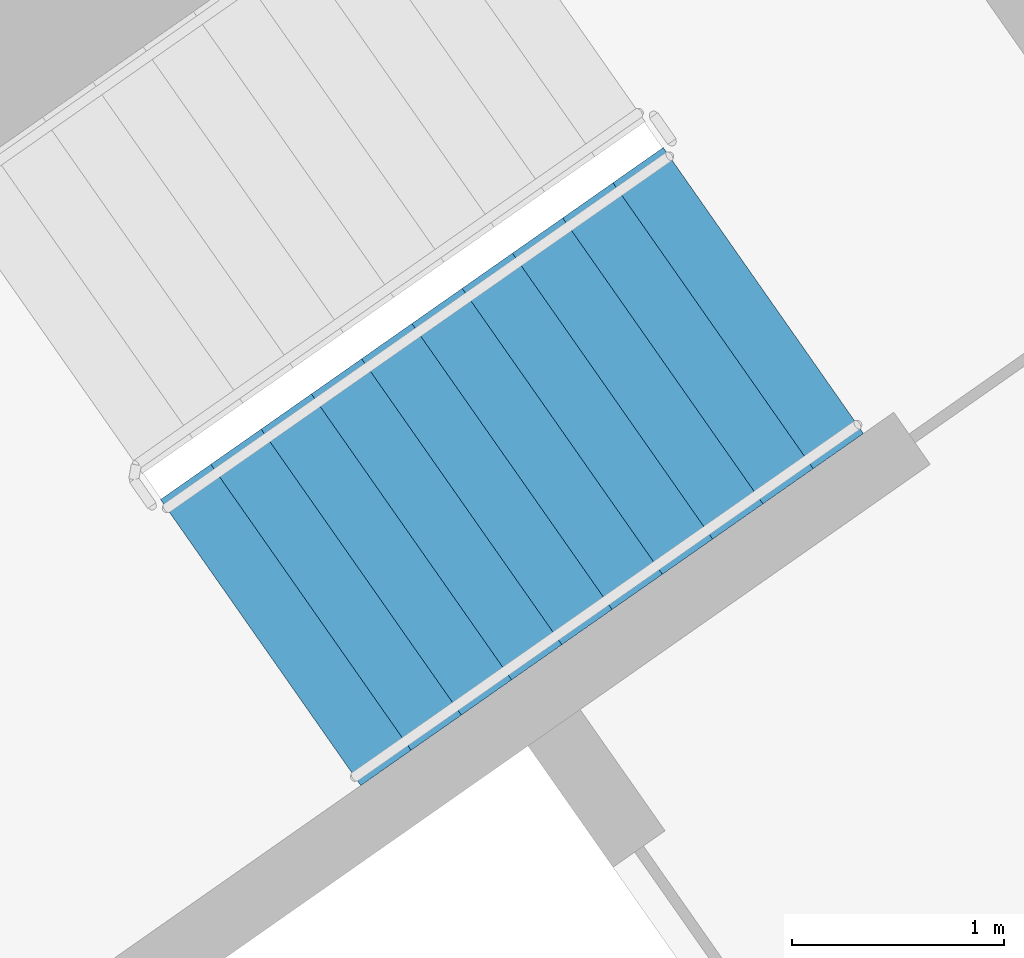
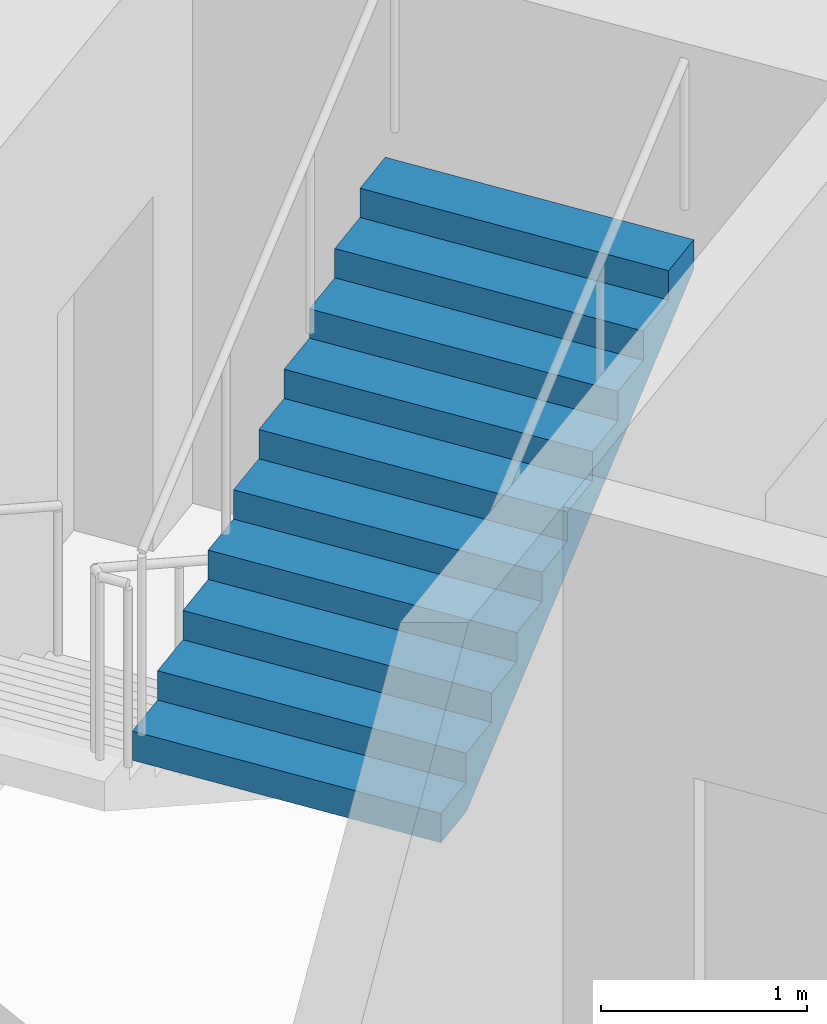
# One storey, part 13 of 29: 1 stair flight, 1 element without a shape of its own.
"""IFC4 building model written with IfcOpenShell, lengths in metres."""

from ifc_helpers import new_model, si_unit, direction, frame, origin, place, context, subcontext, project, spatial, faceted_brep, material, type_object, element, aggregate, save


model = new_model("IFC4")

# Units and contexts
model_context = context("Model", 3, precision=1e-05, world=origin(), true_north=direction((0.0, 1.0)))
body_context = subcontext(model_context, "Body", "Model", "MODEL_VIEW")
ifc_project = project(units=[si_unit("LENGTHUNIT", "METRE"), si_unit("AREAUNIT", "SQUARE_METRE"), si_unit("VOLUMEUNIT", "CUBIC_METRE"), si_unit("PLANEANGLEUNIT", "RADIAN"), si_unit("MASSUNIT", "GRAM", prefix="KILO")], contexts=[model_context])

# Site, building, storey
site_placement = place(None, origin())
site = spatial("IfcSite", under=ifc_project, at=site_placement, CompositionType="ELEMENT")
building_placement = place(site_placement, origin())
building = spatial("IfcBuilding", under=site, at=building_placement, Name="Qamariyya Broadcast Tower", CompositionType="ELEMENT")
storey_placement = place(building_placement, frame((0.0, 0.0, 121.5)))
storey = spatial("IfcBuildingStorey", under=building, at=storey_placement, Name="L27", CompositionType="ELEMENT", Elevation=121.5)

# Stair, stair flight
ifc_material = material(Name="Concrete C50/60", Category="concrete")
stair_type = type_object("IfcStairType", Name="Exit stair 22 risers of 173 mm", PredefinedType="HALF_TURN_STAIR", material=ifc_material)
stair_placement = place(storey_placement, origin())
stair = element("IfcStair", 1, at=stair_placement, inside=storey, type_object=stair_type, Name="L27 Stair E2", PredefinedType="HALF_TURN_STAIR")
stair_flight_type = type_object("IfcStairFlightType", Name="Exit stair flight 11 risers of 173 mm", PredefinedType="STRAIGHT", material=ifc_material)
stair_flight_placement = place(storey_placement, frame((39.215576171875, -50.822998046875, 1.89990234375), z_axis=(0.0, 0.0, 1.0), x_axis=(0.819152044289, 0.573576436351, 0.0)))
stair_flight = element("IfcStairFlight", 2, at=stair_flight_placement, type_object=stair_flight_type, Name="ST-E2 flight 2", NumberOfRisers=11, NumberOfTreads=10, PredefinedType="STRAIGHT", RiserHeight=0.172727273, TreadLength=0.29, context=body_context, shape_type="Brep", body=[
    faceted_brep([(0.0, 0.824951171875, 0.0), (0.0, 0.824951171875, 0.172607421875), (0.2900390625, 0.824951171875, 0.172607421875), (0.2900390625, 0.824951171875, 0.345458984375), (0.580078125, 0.824951171875, 0.345458984375), (0.580078125, 0.824951171875, 0.51806640625), (0.8701171875, 0.824951171875, 0.51806640625), (0.8701171875, 0.824951171875, 0.69091796875), (1.159912109375, 0.824951171875, 0.69091796875), (1.159912109375, 0.824951171875, 0.863525390625), (1.449951171875, 0.824951171875, 0.863525390625), (1.449951171875, 0.824951171875, 1.036376953125), (1.739990234375, 0.824951171875, 1.036376953125), (1.739990234375, 0.824951171875, 1.208984375), (2.030029296875, 0.824951171875, 1.208984375), (2.030029296875, 0.824951171875, 1.3818359375), (2.320068359375, 0.824951171875, 1.3818359375), (2.320068359375, 0.824951171875, 1.554443359375), (2.610107421875, 0.824951171875, 1.554443359375), (2.610107421875, 0.824951171875, 1.727294921875), (2.89990234375, 0.824951171875, 1.727294921875), (2.89990234375, 0.824951171875, 1.552734375), (0.29296875, 0.824951171875, 0.0), (0.29296875, -0.824951171875, 0.0), (2.89990234375, -0.824951171875, 1.552734375), (2.89990234375, -0.824951171875, 1.727294921875), (2.610107421875, -0.824951171875, 1.727294921875), (2.610107421875, -0.824951171875, 1.554443359375), (2.320068359375, -0.824951171875, 1.554443359375), (2.320068359375, -0.824951171875, 1.3818359375), (2.030029296875, -0.824951171875, 1.3818359375), (2.030029296875, -0.824951171875, 1.208984375), (1.739990234375, -0.824951171875, 1.208984375), (1.739990234375, -0.824951171875, 1.036376953125), (1.449951171875, -0.824951171875, 1.036376953125), (1.449951171875, -0.824951171875, 0.863525390625), (1.159912109375, -0.824951171875, 0.863525390625), (1.159912109375, -0.824951171875, 0.69091796875), (0.8701171875, -0.824951171875, 0.69091796875), (0.8701171875, -0.824951171875, 0.51806640625), (0.580078125, -0.824951171875, 0.51806640625), (0.580078125, -0.824951171875, 0.345458984375), (0.2900390625, -0.824951171875, 0.345458984375), (0.2900390625, -0.824951171875, 0.172607421875), (0.0, -0.824951171875, 0.172607421875), (0.0, -0.824951171875, 0.0), (0.0, 0.10009765625, 0.0), (0.0, 0.086669921875, 0.0), (0.0, 0.0732421875, 0.0), (0.0, 0.06005859375, 0.0), (0.0, 0.046630859375, 0.0), (0.0, 0.033447265625, 0.0), (0.0, 0.02001953125, 0.0), (0.0, 0.006591796875, 0.0), (0.0, -0.006591796875, 0.0), (0.0, -0.02001953125, 0.0), (0.0, -0.033447265625, 0.0), (0.0, -0.046630859375, 0.0), (0.0, -0.06005859375, 0.0), (0.0, -0.0732421875, 0.0), (0.0, -0.086669921875, 0.0), (0.0, -0.10009765625, 0.0), (0.0, -0.10009765625, 0.172607421875), (0.0, -0.086669921875, 0.172607421875), (0.0, -0.0732421875, 0.172607421875), (0.0, -0.06005859375, 0.172607421875), (0.0, -0.046630859375, 0.172607421875), (0.0, -0.033447265625, 0.172607421875), (0.0, -0.02001953125, 0.172607421875), (0.0, -0.006591796875, 0.172607421875), (0.0, 0.006591796875, 0.172607421875), (0.0, 0.02001953125, 0.172607421875), (0.0, 0.033447265625, 0.172607421875), (0.0, 0.046630859375, 0.172607421875), (0.0, 0.06005859375, 0.172607421875), (0.0, 0.0732421875, 0.172607421875), (0.0, 0.086669921875, 0.172607421875), (0.0, 0.10009765625, 0.172607421875), (0.2900390625, -0.10009765625, 0.172607421875), (0.2900390625, -0.086669921875, 0.172607421875), (0.2900390625, -0.0732421875, 0.172607421875), (0.2900390625, -0.06005859375, 0.172607421875), (0.2900390625, -0.046630859375, 0.172607421875), (0.2900390625, -0.033447265625, 0.172607421875), (0.2900390625, -0.02001953125, 0.172607421875), (0.2900390625, -0.006591796875, 0.172607421875), (0.2900390625, 0.006591796875, 0.172607421875), (0.2900390625, 0.02001953125, 0.172607421875), (0.2900390625, 0.033447265625, 0.172607421875), (0.2900390625, 0.046630859375, 0.172607421875), (0.2900390625, 0.06005859375, 0.172607421875), (0.2900390625, 0.0732421875, 0.172607421875), (0.2900390625, 0.086669921875, 0.172607421875), (0.2900390625, 0.10009765625, 0.172607421875), (0.2900390625, -0.10009765625, 0.345458984375), (0.2900390625, -0.086669921875, 0.345458984375), (0.2900390625, -0.0732421875, 0.345458984375), (0.2900390625, -0.06005859375, 0.345458984375), (0.2900390625, -0.046630859375, 0.345458984375), (0.2900390625, -0.033447265625, 0.345458984375), (0.2900390625, -0.02001953125, 0.345458984375), (0.2900390625, -0.006591796875, 0.345458984375), (0.2900390625, 0.006591796875, 0.345458984375), (0.2900390625, 0.02001953125, 0.345458984375), (0.2900390625, 0.033447265625, 0.345458984375), (0.2900390625, 0.046630859375, 0.345458984375), (0.2900390625, 0.06005859375, 0.345458984375), (0.2900390625, 0.0732421875, 0.345458984375), (0.2900390625, 0.086669921875, 0.345458984375), (0.2900390625, 0.10009765625, 0.345458984375), (0.580078125, -0.10009765625, 0.345458984375), (0.580078125, -0.086669921875, 0.345458984375), (0.580078125, -0.0732421875, 0.345458984375), (0.580078125, -0.06005859375, 0.345458984375), (0.580078125, -0.046630859375, 0.345458984375), (0.580078125, -0.033447265625, 0.345458984375), (0.580078125, -0.02001953125, 0.345458984375), (0.580078125, -0.006591796875, 0.345458984375), (0.580078125, 0.006591796875, 0.345458984375), (0.580078125, 0.02001953125, 0.345458984375), (0.580078125, 0.033447265625, 0.345458984375), (0.580078125, 0.046630859375, 0.345458984375), (0.580078125, 0.06005859375, 0.345458984375), (0.580078125, 0.0732421875, 0.345458984375), (0.580078125, 0.086669921875, 0.345458984375), (0.580078125, 0.10009765625, 0.345458984375), (0.580078125, -0.10009765625, 0.51806640625), (0.580078125, -0.086669921875, 0.51806640625), (0.580078125, -0.0732421875, 0.51806640625), (0.580078125, -0.06005859375, 0.51806640625), (0.580078125, -0.046630859375, 0.51806640625), (0.580078125, -0.033447265625, 0.51806640625), (0.580078125, -0.02001953125, 0.51806640625), (0.580078125, -0.006591796875, 0.51806640625), (0.580078125, 0.006591796875, 0.51806640625), (0.580078125, 0.02001953125, 0.51806640625), (0.580078125, 0.033447265625, 0.51806640625), (0.580078125, 0.046630859375, 0.51806640625), (0.580078125, 0.06005859375, 0.51806640625), (0.580078125, 0.0732421875, 0.51806640625), (0.580078125, 0.086669921875, 0.51806640625), (0.580078125, 0.10009765625, 0.51806640625), (0.8701171875, -0.10009765625, 0.51806640625), (0.8701171875, -0.086669921875, 0.51806640625), (0.8701171875, -0.0732421875, 0.51806640625), (0.8701171875, -0.06005859375, 0.51806640625), (0.8701171875, -0.046630859375, 0.51806640625), (0.8701171875, -0.033447265625, 0.51806640625), (0.8701171875, -0.02001953125, 0.51806640625), (0.8701171875, -0.006591796875, 0.51806640625), (0.8701171875, 0.006591796875, 0.51806640625), (0.8701171875, 0.02001953125, 0.51806640625), (0.8701171875, 0.033447265625, 0.51806640625), (0.8701171875, 0.046630859375, 0.51806640625), (0.8701171875, 0.06005859375, 0.51806640625), (0.8701171875, 0.0732421875, 0.51806640625), (0.8701171875, 0.086669921875, 0.51806640625), (0.8701171875, 0.10009765625, 0.51806640625), (0.8701171875, -0.10009765625, 0.69091796875), (0.8701171875, -0.086669921875, 0.69091796875), (0.8701171875, -0.0732421875, 0.69091796875), (0.8701171875, -0.06005859375, 0.69091796875), (0.8701171875, -0.046630859375, 0.69091796875), (0.8701171875, -0.033447265625, 0.69091796875), (0.8701171875, -0.02001953125, 0.69091796875), (0.8701171875, -0.006591796875, 0.69091796875), (0.8701171875, 0.006591796875, 0.69091796875), (0.8701171875, 0.02001953125, 0.69091796875), (0.8701171875, 0.033447265625, 0.69091796875), (0.8701171875, 0.046630859375, 0.69091796875), (0.8701171875, 0.06005859375, 0.69091796875), (0.8701171875, 0.0732421875, 0.69091796875), (0.8701171875, 0.086669921875, 0.69091796875), (0.8701171875, 0.10009765625, 0.69091796875), (1.159912109375, -0.10009765625, 0.69091796875), (1.159912109375, -0.086669921875, 0.69091796875), (1.159912109375, -0.0732421875, 0.69091796875), (1.159912109375, -0.06005859375, 0.69091796875), (1.159912109375, -0.046630859375, 0.69091796875), (1.159912109375, -0.033447265625, 0.69091796875), (1.159912109375, -0.02001953125, 0.69091796875), (1.159912109375, -0.006591796875, 0.69091796875), (1.159912109375, 0.006591796875, 0.69091796875), (1.159912109375, 0.02001953125, 0.69091796875), (1.159912109375, 0.033447265625, 0.69091796875), (1.159912109375, 0.046630859375, 0.69091796875), (1.159912109375, 0.06005859375, 0.69091796875), (1.159912109375, 0.0732421875, 0.69091796875), (1.159912109375, 0.086669921875, 0.69091796875), (1.159912109375, 0.10009765625, 0.69091796875), (1.159912109375, -0.10009765625, 0.863525390625), (1.159912109375, -0.086669921875, 0.863525390625), (1.159912109375, -0.0732421875, 0.863525390625), (1.159912109375, -0.06005859375, 0.863525390625), (1.159912109375, -0.046630859375, 0.863525390625), (1.159912109375, -0.033447265625, 0.863525390625), (1.159912109375, -0.02001953125, 0.863525390625), (1.159912109375, -0.006591796875, 0.863525390625), (1.159912109375, 0.006591796875, 0.863525390625), (1.159912109375, 0.02001953125, 0.863525390625), (1.159912109375, 0.033447265625, 0.863525390625), (1.159912109375, 0.046630859375, 0.863525390625), (1.159912109375, 0.06005859375, 0.863525390625), (1.159912109375, 0.0732421875, 0.863525390625), (1.159912109375, 0.086669921875, 0.863525390625), (1.159912109375, 0.10009765625, 0.863525390625), (1.449951171875, -0.10009765625, 0.863525390625), (1.449951171875, -0.086669921875, 0.863525390625), (1.449951171875, -0.0732421875, 0.863525390625), (1.449951171875, -0.06005859375, 0.863525390625), (1.449951171875, -0.046630859375, 0.863525390625), (1.449951171875, -0.033447265625, 0.863525390625), (1.449951171875, -0.02001953125, 0.863525390625), (1.449951171875, -0.006591796875, 0.863525390625), (1.449951171875, 0.006591796875, 0.863525390625), (1.449951171875, 0.02001953125, 0.863525390625), (1.449951171875, 0.033447265625, 0.863525390625), (1.449951171875, 0.046630859375, 0.863525390625), (1.449951171875, 0.06005859375, 0.863525390625), (1.449951171875, 0.0732421875, 0.863525390625), (1.449951171875, 0.086669921875, 0.863525390625), (1.449951171875, 0.10009765625, 0.863525390625), (1.449951171875, -0.10009765625, 1.036376953125), (1.449951171875, -0.086669921875, 1.036376953125), (1.449951171875, -0.0732421875, 1.036376953125), (1.449951171875, -0.06005859375, 1.036376953125), (1.449951171875, -0.046630859375, 1.036376953125), (1.449951171875, -0.033447265625, 1.036376953125), (1.449951171875, -0.02001953125, 1.036376953125), (1.449951171875, -0.006591796875, 1.036376953125), (1.449951171875, 0.006591796875, 1.036376953125), (1.449951171875, 0.02001953125, 1.036376953125), (1.449951171875, 0.033447265625, 1.036376953125), (1.449951171875, 0.046630859375, 1.036376953125), (1.449951171875, 0.06005859375, 1.036376953125), (1.449951171875, 0.0732421875, 1.036376953125), (1.449951171875, 0.086669921875, 1.036376953125), (1.449951171875, 0.10009765625, 1.036376953125), (1.739990234375, -0.10009765625, 1.036376953125), (1.739990234375, -0.086669921875, 1.036376953125), (1.739990234375, -0.0732421875, 1.036376953125), (1.739990234375, -0.06005859375, 1.036376953125), (1.739990234375, -0.046630859375, 1.036376953125), (1.739990234375, -0.033447265625, 1.036376953125), (1.739990234375, -0.02001953125, 1.036376953125), (1.739990234375, -0.006591796875, 1.036376953125), (1.739990234375, 0.006591796875, 1.036376953125), (1.739990234375, 0.02001953125, 1.036376953125), (1.739990234375, 0.033447265625, 1.036376953125), (1.739990234375, 0.046630859375, 1.036376953125), (1.739990234375, 0.06005859375, 1.036376953125), (1.739990234375, 0.0732421875, 1.036376953125), (1.739990234375, 0.086669921875, 1.036376953125), (1.739990234375, 0.10009765625, 1.036376953125), (1.739990234375, -0.10009765625, 1.208984375), (1.739990234375, -0.086669921875, 1.208984375), (1.739990234375, -0.0732421875, 1.208984375), (1.739990234375, -0.06005859375, 1.208984375), (1.739990234375, -0.046630859375, 1.208984375), (1.739990234375, -0.033447265625, 1.208984375), (1.739990234375, -0.02001953125, 1.208984375), (1.739990234375, -0.006591796875, 1.208984375), (1.739990234375, 0.006591796875, 1.208984375), (1.739990234375, 0.02001953125, 1.208984375), (1.739990234375, 0.033447265625, 1.208984375), (1.739990234375, 0.046630859375, 1.208984375), (1.739990234375, 0.06005859375, 1.208984375), (1.739990234375, 0.0732421875, 1.208984375), (1.739990234375, 0.086669921875, 1.208984375), (1.739990234375, 0.10009765625, 1.208984375), (2.030029296875, -0.10009765625, 1.208984375), (2.030029296875, -0.086669921875, 1.208984375), (2.030029296875, -0.0732421875, 1.208984375), (2.030029296875, -0.06005859375, 1.208984375), (2.030029296875, -0.046630859375, 1.208984375), (2.030029296875, -0.033447265625, 1.208984375), (2.030029296875, -0.02001953125, 1.208984375), (2.030029296875, -0.006591796875, 1.208984375), (2.030029296875, 0.006591796875, 1.208984375), (2.030029296875, 0.02001953125, 1.208984375), (2.030029296875, 0.033447265625, 1.208984375), (2.030029296875, 0.046630859375, 1.208984375), (2.030029296875, 0.06005859375, 1.208984375), (2.030029296875, 0.0732421875, 1.208984375), (2.030029296875, 0.086669921875, 1.208984375), (2.030029296875, 0.10009765625, 1.208984375), (2.030029296875, -0.10009765625, 1.3818359375), (2.030029296875, -0.086669921875, 1.3818359375), (2.030029296875, -0.0732421875, 1.3818359375), (2.030029296875, -0.06005859375, 1.3818359375), (2.030029296875, -0.046630859375, 1.3818359375), (2.030029296875, -0.033447265625, 1.3818359375), (2.030029296875, -0.02001953125, 1.3818359375), (2.030029296875, -0.006591796875, 1.3818359375), (2.030029296875, 0.006591796875, 1.3818359375), (2.030029296875, 0.02001953125, 1.3818359375), (2.030029296875, 0.033447265625, 1.3818359375), (2.030029296875, 0.046630859375, 1.3818359375), (2.030029296875, 0.06005859375, 1.3818359375), (2.030029296875, 0.0732421875, 1.3818359375), (2.030029296875, 0.086669921875, 1.3818359375), (2.030029296875, 0.10009765625, 1.3818359375), (2.320068359375, -0.10009765625, 1.3818359375), (2.320068359375, -0.086669921875, 1.3818359375), (2.320068359375, -0.0732421875, 1.3818359375), (2.320068359375, -0.06005859375, 1.3818359375), (2.320068359375, -0.046630859375, 1.3818359375), (2.320068359375, -0.033447265625, 1.3818359375), (2.320068359375, -0.02001953125, 1.3818359375), (2.320068359375, -0.006591796875, 1.3818359375), (2.320068359375, 0.006591796875, 1.3818359375), (2.320068359375, 0.02001953125, 1.3818359375), (2.320068359375, 0.033447265625, 1.3818359375), (2.320068359375, 0.046630859375, 1.3818359375), (2.320068359375, 0.06005859375, 1.3818359375), (2.320068359375, 0.0732421875, 1.3818359375), (2.320068359375, 0.086669921875, 1.3818359375), (2.320068359375, 0.10009765625, 1.3818359375), (2.320068359375, -0.10009765625, 1.554443359375), (2.320068359375, -0.086669921875, 1.554443359375), (2.320068359375, -0.0732421875, 1.554443359375), (2.320068359375, -0.06005859375, 1.554443359375), (2.320068359375, -0.046630859375, 1.554443359375), (2.320068359375, -0.033447265625, 1.554443359375), (2.320068359375, -0.02001953125, 1.554443359375), (2.320068359375, -0.006591796875, 1.554443359375), (2.320068359375, 0.006591796875, 1.554443359375), (2.320068359375, 0.02001953125, 1.554443359375), (2.320068359375, 0.033447265625, 1.554443359375), (2.320068359375, 0.046630859375, 1.554443359375), (2.320068359375, 0.06005859375, 1.554443359375), (2.320068359375, 0.0732421875, 1.554443359375), (2.320068359375, 0.086669921875, 1.554443359375), (2.320068359375, 0.10009765625, 1.554443359375), (2.610107421875, -0.10009765625, 1.554443359375), (2.610107421875, -0.086669921875, 1.554443359375), (2.610107421875, -0.0732421875, 1.554443359375), (2.610107421875, -0.06005859375, 1.554443359375), (2.610107421875, -0.046630859375, 1.554443359375), (2.610107421875, -0.033447265625, 1.554443359375), (2.610107421875, -0.02001953125, 1.554443359375), (2.610107421875, -0.006591796875, 1.554443359375), (2.610107421875, 0.006591796875, 1.554443359375), (2.610107421875, 0.02001953125, 1.554443359375), (2.610107421875, 0.033447265625, 1.554443359375), (2.610107421875, 0.046630859375, 1.554443359375), (2.610107421875, 0.06005859375, 1.554443359375), (2.610107421875, 0.0732421875, 1.554443359375), (2.610107421875, 0.086669921875, 1.554443359375), (2.610107421875, 0.10009765625, 1.554443359375), (2.610107421875, -0.10009765625, 1.727294921875), (2.610107421875, -0.086669921875, 1.727294921875), (2.610107421875, -0.0732421875, 1.727294921875), (2.610107421875, -0.06005859375, 1.727294921875), (2.610107421875, -0.046630859375, 1.727294921875), (2.610107421875, -0.033447265625, 1.727294921875), (2.610107421875, -0.02001953125, 1.727294921875), (2.610107421875, -0.006591796875, 1.727294921875), (2.610107421875, 0.006591796875, 1.727294921875), (2.610107421875, 0.02001953125, 1.727294921875), (2.610107421875, 0.033447265625, 1.727294921875), (2.610107421875, 0.046630859375, 1.727294921875), (2.610107421875, 0.06005859375, 1.727294921875), (2.610107421875, 0.0732421875, 1.727294921875), (2.610107421875, 0.086669921875, 1.727294921875), (2.610107421875, 0.10009765625, 1.727294921875), (2.89990234375, -0.10009765625, 1.727294921875), (2.89990234375, -0.086669921875, 1.727294921875), (2.89990234375, -0.0732421875, 1.727294921875), (2.89990234375, -0.06005859375, 1.727294921875), (2.89990234375, -0.046630859375, 1.727294921875), (2.89990234375, -0.033447265625, 1.727294921875), (2.89990234375, -0.02001953125, 1.727294921875), (2.89990234375, -0.006591796875, 1.727294921875), (2.89990234375, 0.006591796875, 1.727294921875), (2.89990234375, 0.02001953125, 1.727294921875), (2.89990234375, 0.033447265625, 1.727294921875), (2.89990234375, 0.046630859375, 1.727294921875), (2.89990234375, 0.06005859375, 1.727294921875), (2.89990234375, 0.0732421875, 1.727294921875), (2.89990234375, 0.086669921875, 1.727294921875), (2.89990234375, 0.10009765625, 1.727294921875), (2.89990234375, -0.10009765625, 1.552734375), (2.89990234375, -0.086669921875, 1.552734375), (2.89990234375, -0.0732421875, 1.552734375), (2.89990234375, -0.06005859375, 1.552734375), (2.89990234375, -0.046630859375, 1.552734375), (2.89990234375, -0.033447265625, 1.552734375), (2.89990234375, -0.02001953125, 1.552734375), (2.89990234375, -0.006591796875, 1.552734375), (2.89990234375, 0.006591796875, 1.552734375), (2.89990234375, 0.02001953125, 1.552734375), (2.89990234375, 0.033447265625, 1.552734375), (2.89990234375, 0.046630859375, 1.552734375), (2.89990234375, 0.06005859375, 1.552734375), (2.89990234375, 0.0732421875, 1.552734375), (2.89990234375, 0.086669921875, 1.552734375), (2.89990234375, 0.10009765625, 1.552734375), (0.29296875, -0.10009765625, 0.0), (0.29296875, -0.086669921875, 0.0), (0.29296875, -0.0732421875, 0.0), (0.29296875, -0.06005859375, 0.0), (0.29296875, -0.046630859375, 0.0), (0.29296875, -0.033447265625, 0.0), (0.29296875, -0.02001953125, 0.0), (0.29296875, -0.006591796875, 0.0), (0.29296875, 0.006591796875, 0.0), (0.29296875, 0.02001953125, 0.0), (0.29296875, 0.033447265625, 0.0), (0.29296875, 0.046630859375, 0.0), (0.29296875, 0.06005859375, 0.0), (0.29296875, 0.0732421875, 0.0), (0.29296875, 0.086669921875, 0.0), (0.29296875, 0.10009765625, 0.0)], [[[0, 1, 2, 3, 4, 5, 6, 7, 8, 9, 10, 11, 12, 13, 14, 15, 16, 17, 18, 19, 20, 21, 22]], [[23, 24, 25, 26, 27, 28, 29, 30, 31, 32, 33, 34, 35, 36, 37, 38, 39, 40, 41, 42, 43, 44, 45]], [[0, 46, 47, 48, 49, 50, 51, 52, 53, 54, 55, 56, 57, 58, 59, 60, 61, 45, 44, 62, 63, 64, 65, 66, 67, 68, 69, 70, 71, 72, 73, 74, 75, 76, 77, 1]], [[1, 77, 76, 75, 74, 73, 72, 71, 70, 69, 68, 67, 66, 65, 64, 63, 62, 44, 43, 78, 79, 80, 81, 82, 83, 84, 85, 86, 87, 88, 89, 90, 91, 92, 93, 2]], [[2, 93, 92, 91, 90, 89, 88, 87, 86, 85, 84, 83, 82, 81, 80, 79, 78, 43, 42, 94, 95, 96, 97, 98, 99, 100, 101, 102, 103, 104, 105, 106, 107, 108, 109, 3]], [[3, 109, 108, 107, 106, 105, 104, 103, 102, 101, 100, 99, 98, 97, 96, 95, 94, 42, 41, 110, 111, 112, 113, 114, 115, 116, 117, 118, 119, 120, 121, 122, 123, 124, 125, 4]], [[4, 125, 124, 123, 122, 121, 120, 119, 118, 117, 116, 115, 114, 113, 112, 111, 110, 41, 40, 126, 127, 128, 129, 130, 131, 132, 133, 134, 135, 136, 137, 138, 139, 140, 141, 5]], [[5, 141, 140, 139, 138, 137, 136, 135, 134, 133, 132, 131, 130, 129, 128, 127, 126, 40, 39, 142, 143, 144, 145, 146, 147, 148, 149, 150, 151, 152, 153, 154, 155, 156, 157, 6]], [[6, 157, 156, 155, 154, 153, 152, 151, 150, 149, 148, 147, 146, 145, 144, 143, 142, 39, 38, 158, 159, 160, 161, 162, 163, 164, 165, 166, 167, 168, 169, 170, 171, 172, 173, 7]], [[7, 173, 172, 171, 170, 169, 168, 167, 166, 165, 164, 163, 162, 161, 160, 159, 158, 38, 37, 174, 175, 176, 177, 178, 179, 180, 181, 182, 183, 184, 185, 186, 187, 188, 189, 8]], [[8, 189, 188, 187, 186, 185, 184, 183, 182, 181, 180, 179, 178, 177, 176, 175, 174, 37, 36, 190, 191, 192, 193, 194, 195, 196, 197, 198, 199, 200, 201, 202, 203, 204, 205, 9]], [[9, 205, 204, 203, 202, 201, 200, 199, 198, 197, 196, 195, 194, 193, 192, 191, 190, 36, 35, 206, 207, 208, 209, 210, 211, 212, 213, 214, 215, 216, 217, 218, 219, 220, 221, 10]], [[10, 221, 220, 219, 218, 217, 216, 215, 214, 213, 212, 211, 210, 209, 208, 207, 206, 35, 34, 222, 223, 224, 225, 226, 227, 228, 229, 230, 231, 232, 233, 234, 235, 236, 237, 11]], [[11, 237, 236, 235, 234, 233, 232, 231, 230, 229, 228, 227, 226, 225, 224, 223, 222, 34, 33, 238, 239, 240, 241, 242, 243, 244, 245, 246, 247, 248, 249, 250, 251, 252, 253, 12]], [[12, 253, 252, 251, 250, 249, 248, 247, 246, 245, 244, 243, 242, 241, 240, 239, 238, 33, 32, 254, 255, 256, 257, 258, 259, 260, 261, 262, 263, 264, 265, 266, 267, 268, 269, 13]], [[13, 269, 268, 267, 266, 265, 264, 263, 262, 261, 260, 259, 258, 257, 256, 255, 254, 32, 31, 270, 271, 272, 273, 274, 275, 276, 277, 278, 279, 280, 281, 282, 283, 284, 285, 14]], [[14, 285, 284, 283, 282, 281, 280, 279, 278, 277, 276, 275, 274, 273, 272, 271, 270, 31, 30, 286, 287, 288, 289, 290, 291, 292, 293, 294, 295, 296, 297, 298, 299, 300, 301, 15]], [[15, 301, 300, 299, 298, 297, 296, 295, 294, 293, 292, 291, 290, 289, 288, 287, 286, 30, 29, 302, 303, 304, 305, 306, 307, 308, 309, 310, 311, 312, 313, 314, 315, 316, 317, 16]], [[16, 317, 316, 315, 314, 313, 312, 311, 310, 309, 308, 307, 306, 305, 304, 303, 302, 29, 28, 318, 319, 320, 321, 322, 323, 324, 325, 326, 327, 328, 329, 330, 331, 332, 333, 17]], [[17, 333, 332, 331, 330, 329, 328, 327, 326, 325, 324, 323, 322, 321, 320, 319, 318, 28, 27, 334, 335, 336, 337, 338, 339, 340, 341, 342, 343, 344, 345, 346, 347, 348, 349, 18]], [[18, 349, 348, 347, 346, 345, 344, 343, 342, 341, 340, 339, 338, 337, 336, 335, 334, 27, 26, 350, 351, 352, 353, 354, 355, 356, 357, 358, 359, 360, 361, 362, 363, 364, 365, 19]], [[19, 365, 364, 363, 362, 361, 360, 359, 358, 357, 356, 355, 354, 353, 352, 351, 350, 26, 25, 366, 367, 368, 369, 370, 371, 372, 373, 374, 375, 376, 377, 378, 379, 380, 381, 20]], [[20, 381, 380, 379, 378, 377, 376, 375, 374, 373, 372, 371, 370, 369, 368, 367, 366, 25, 24, 382, 383, 384, 385, 386, 387, 388, 389, 390, 391, 392, 393, 394, 395, 396, 397, 21]], [[21, 397, 396, 395, 394, 393, 392, 391, 390, 389, 388, 387, 386, 385, 384, 383, 382, 24, 23, 398, 399, 400, 401, 402, 403, 404, 405, 406, 407, 408, 409, 410, 411, 412, 413, 22]], [[22, 413, 412, 411, 410, 409, 408, 407, 406, 405, 404, 403, 402, 401, 400, 399, 398, 23, 45, 61, 60, 59, 58, 57, 56, 55, 54, 53, 52, 51, 50, 49, 48, 47, 46, 0]]]),
])
aggregate(stair, [stair_flight])

save(model, "model.ifc")
